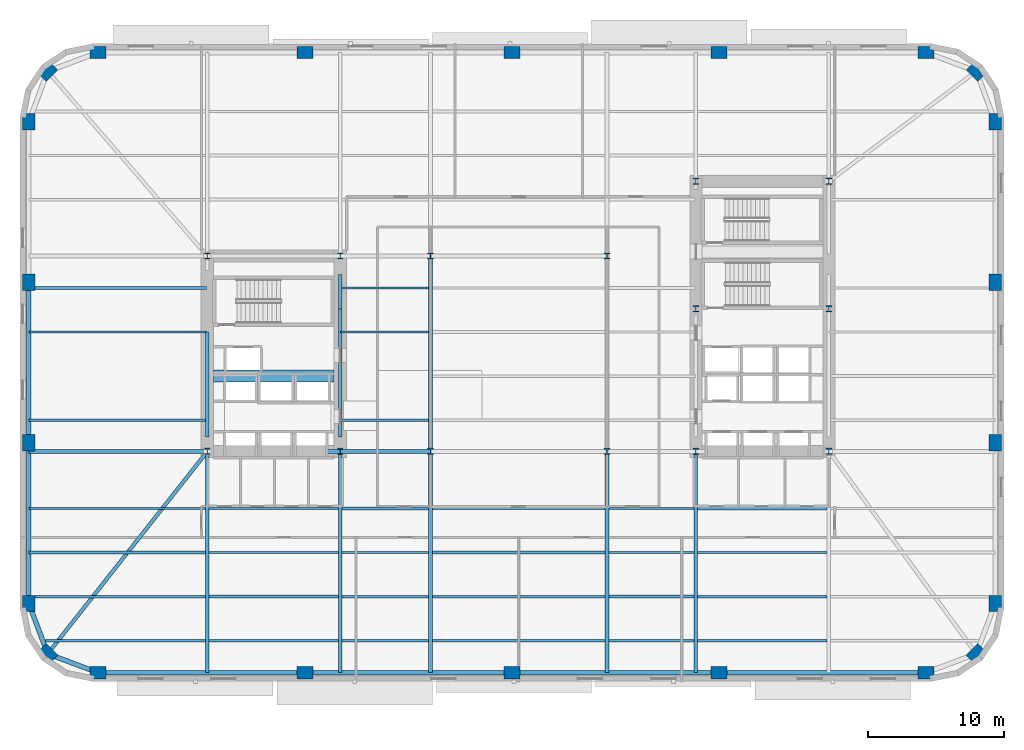
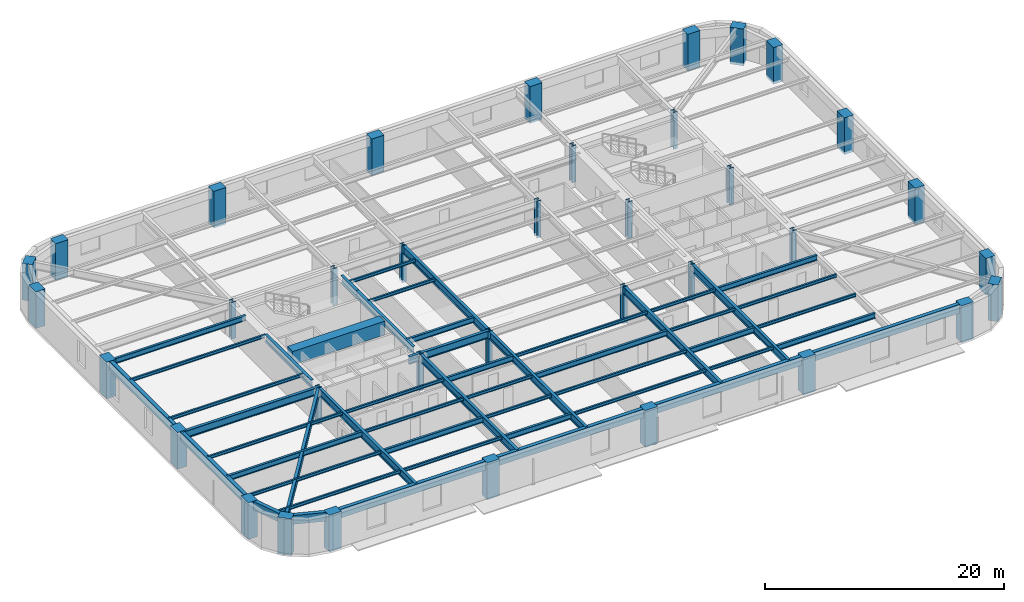
# One storey, part 1 of 15: 51 beams, 36 columns.
"""IFC4 building model written with IfcOpenShell, lengths in metres."""

from ifc_helpers import new_model, si_unit, direction, frame, origin, origin_2d, place, context, subcontext, project, spatial, rectangle, hollow_rectangle, i_section, extrude, material, material_profile, profile_set, type_object, element, save


model = new_model("IFC4")

# Units and contexts
model_context = context("Model", 3, precision=1e-05, world=origin(), true_north=direction((0.0, 1.0)))
body_context = subcontext(model_context, "Body", "Model", "MODEL_VIEW")
ifc_project = project(units=[si_unit("LENGTHUNIT", "METRE"), si_unit("AREAUNIT", "SQUARE_METRE"), si_unit("VOLUMEUNIT", "CUBIC_METRE"), si_unit("PLANEANGLEUNIT", "RADIAN"), si_unit("MASSUNIT", "GRAM", prefix="KILO")], contexts=[model_context])

# Site, building, storey
site_placement = place(None, origin())
site = spatial("IfcSite", under=ifc_project, at=site_placement, CompositionType="ELEMENT")
building_placement = place(site_placement, origin())
building = spatial("IfcBuilding", under=site, at=building_placement, Name="Kolvaren Arena Tower", CompositionType="ELEMENT")
storey_placement = place(building_placement, frame((0.0, 0.0, 64.5)))
storey = spatial("IfcBuildingStorey", under=building, at=storey_placement, Name="L13", CompositionType="ELEMENT", Elevation=64.5)

# Columns
ifc_material_1 = material(Name="Precast concrete C70/85", Category="concrete")
ifc_material_profile_1 = material_profile(ifc_material_1, rectangle(XDim=1.199951171875, YDim=0.89990234375, at=origin_2d()), Name="RC-1200x900")
ifc_profile_set_1 = profile_set([ifc_material_profile_1], Name="Precast concrete C70/85")
column_type_1 = type_object("IfcColumnType", Name="EXCOL-Z1", PredefinedType="COLUMN", material=ifc_profile_set_1)
for number, where, z_axis, x_axis, name in (
    (1, (6.5, 3.14990234375, -0.27001953125), (0.0, 0.0, 1.0), (1.0, 0.0, 0.0), "Exoskeleton Perimeter Column 01 (L13)"),
    (2, (21.75, 3.14990234375, -0.27001953125), (0.0, 0.0, 1.0), (1.0, 0.0, 0.0), "Exoskeleton Perimeter Column 02 (L13)"),
    (3, (37.0, 3.14990234375, -0.27001953125), (0.0, 0.0, 1.0), (1.0, 0.0, 0.0), "Exoskeleton Perimeter Column 03 (L13)"),
    (4, (52.25, 3.14990234375, -0.27001953125), (0.0, 0.0, 1.0), (1.0, 0.0, 0.0), "Exoskeleton Perimeter Column 04 (L13)"),
    (5, (67.5, 3.14990234375, -0.27001953125), (0.0, 0.0, 1.0), (1.0, 0.0, 0.0), "Exoskeleton Perimeter Column 05 (L13)"),
    (6, (71.208740234375, 4.541259765625, -0.27001953125), (0.0, 0.0, 1.0), (0.707106781187, 0.707106781187, 0.0), "Exoskeleton Perimeter Column 06 (L13)"),
    (7, (72.60009765625, 8.25, -0.27001953125), (0.0, 0.0, 1.0), (0.0, 1.0, 0.0), "Exoskeleton Perimeter Column 07 (L13)"),
    (8, (72.60009765625, 20.083251953125, -0.27001953125), (0.0, 0.0, 1.0), (0.0, 1.0, 0.0), "Exoskeleton Perimeter Column 08 (L13)"),
    (9, (72.60009765625, 31.916748046875, -0.27001953125), (0.0, 0.0, 1.0), (0.0, 1.0, 0.0), "Exoskeleton Perimeter Column 09 (L13)"),
    (10, (72.60009765625, 43.75, -0.27001953125), (0.0, 0.0, 1.0), (0.0, 1.0, 0.0), "Exoskeleton Perimeter Column 10 (L13)"),
    (11, (71.208740234375, 47.458740234375, -0.27001953125), (0.0, 0.0, 1.0), (-0.707106781187, 0.707106781187, 0.0), "Exoskeleton Perimeter Column 11 (L13)"),
    (12, (67.5, 48.85009765625, -0.27001953125), (0.0, 0.0, 1.0), (1.0, 0.0, 0.0), "Exoskeleton Perimeter Column 12 (L13)"),
    (13, (52.25, 48.85009765625, -0.27001953125), (0.0, 0.0, 1.0), (1.0, 0.0, 0.0), "Exoskeleton Perimeter Column 13 (L13)"),
    (14, (37.0, 48.85009765625, -0.27001953125), (0.0, 0.0, 1.0), (1.0, 0.0, 0.0), "Exoskeleton Perimeter Column 14 (L13)"),
    (15, (21.75, 48.85009765625, -0.27001953125), (0.0, 0.0, 1.0), (1.0, 0.0, 0.0), "Exoskeleton Perimeter Column 15 (L13)"),
    (16, (6.5, 48.85009765625, -0.27001953125), (0.0, 0.0, 1.0), (1.0, 0.0, 0.0), "Exoskeleton Perimeter Column 16 (L13)"),
    (17, (2.791259765625, 47.458740234375, -0.27001953125), (0.0, 0.0, 1.0), (0.707106781187, 0.707106781187, 0.0), "Exoskeleton Perimeter Column 17 (L13)"),
    (18, (1.39990234375, 43.75, -0.27001953125), (0.0, 0.0, 1.0), (0.0, 1.0, 0.0), "Exoskeleton Perimeter Column 18 (L13)"),
    (19, (1.39990234375, 31.916748046875, -0.27001953125), (0.0, 0.0, 1.0), (0.0, 1.0, 0.0), "Exoskeleton Perimeter Column 19 (L13)"),
    (20, (1.39990234375, 20.083251953125, -0.27001953125), (0.0, 0.0, 1.0), (0.0, 1.0, 0.0), "Exoskeleton Perimeter Column 20 (L13)"),
    (21, (1.39990234375, 8.25, -0.27001953125), (0.0, 0.0, 1.0), (0.0, 1.0, 0.0), "Exoskeleton Perimeter Column 21 (L13)"),
    (22, (2.791259765625, 4.541259765625, -0.27001953125), (0.0, 0.0, 1.0), (-0.707106781187, 0.707106781187, 0.0), "Exoskeleton Perimeter Column 22 (L13)"),
):
    element("IfcColumn", number, at=place(storey_placement, frame(where, z_axis=z_axis, x_axis=x_axis)), inside=storey, type_object=column_type_1, Name=name, PredefinedType="COLUMN", context=body_context, shape_type="SweptSolid", body=[
        extrude(rectangle(XDim=1.199951171875, YDim=0.89990234375, at=origin_2d()), origin(), (0.0, 0.0, 1.0), 3.75),
    ])
ifc_material_2 = material(Name="Steel ASTM A913 Grade 65", Category="steel")
ifc_material_profile_2 = material_profile(ifc_material_2, i_section(OverallWidth=0.424072265625, OverallDepth=0.47412109375, WebThickness=0.047607421875, FlangeThickness=0.076904296875, FilletRadius=0.02001953125, at=origin_2d()), Name="W360x634")
ifc_profile_set_2 = profile_set([ifc_material_profile_2], Name="Steel ASTM A913 Grade 65")
column_type_2 = type_object("IfcColumnType", Name="SCOL-Z1", PredefinedType="COLUMN", material=ifc_profile_set_2)
for number, where, z_axis, x_axis, name in (
    (23, (14.550048828125, 19.449951171875, -0.27001953125), (0.0, 0.0, 1.0), (1.0, 0.0, 0.0), "Core Boundary Column WC-SW (L13)"),
    (24, (24.35009765625, 19.449951171875, -0.27001953125), (0.0, 0.0, 1.0), (1.0, 0.0, 0.0), "Core Boundary Column WC-SE (L13)"),
    (25, (14.550048828125, 33.85009765625, -0.27001953125), (0.0, 0.0, 1.0), (1.0, 0.0, 0.0), "Core Boundary Column WC-NW (L13)"),
    (26, (24.35009765625, 33.85009765625, -0.27001953125), (0.0, 0.0, 1.0), (1.0, 0.0, 0.0), "Core Boundary Column WC-NE (L13)"),
    (27, (50.550048828125, 19.449951171875, -0.27001953125), (0.0, 0.0, 1.0), (1.0, 0.0, 0.0), "Core Boundary Column EC-SW (L13)"),
    (28, (60.35009765625, 19.449951171875, -0.27001953125), (0.0, 0.0, 1.0), (1.0, 0.0, 0.0), "Core Boundary Column EC-SE (L13)"),
    (29, (50.550048828125, 29.949951171875, -0.27001953125), (0.0, 0.0, 1.0), (1.0, 0.0, 0.0), "Core Boundary Column EC-MW (L13)"),
    (30, (60.35009765625, 29.949951171875, -0.27001953125), (0.0, 0.0, 1.0), (1.0, 0.0, 0.0), "Core Boundary Column EC-ME (L13)"),
    (31, (50.550048828125, 39.35009765625, -0.27001953125), (0.0, 0.0, 1.0), (1.0, 0.0, 0.0), "Core Boundary Column EC-NW (L13)"),
    (32, (60.35009765625, 39.35009765625, -0.27001953125), (0.0, 0.0, 1.0), (1.0, 0.0, 0.0), "Core Boundary Column EC-NE (L13)"),
    (33, (31.0, 19.449951171875, -0.27001953125), (0.0, 0.0, 1.0), (1.0, 0.0, 0.0), "Interior Gravity Column TC-SW (L13)"),
    (34, (44.0, 19.449951171875, -0.27001953125), (0.0, 0.0, 1.0), (1.0, 0.0, 0.0), "Interior Gravity Column TC-SE (L13)"),
    (35, (31.0, 33.85009765625, -0.27001953125), (0.0, 0.0, 1.0), (1.0, 0.0, 0.0), "Interior Gravity Column TC-NW (L13)"),
    (36, (44.0, 33.85009765625, -0.27001953125), (0.0, 0.0, 1.0), (1.0, 0.0, 0.0), "Interior Gravity Column TC-NE (L13)"),
):
    element("IfcColumn", number, at=place(storey_placement, frame(where, z_axis=z_axis, x_axis=x_axis)), inside=storey, type_object=column_type_2, Name=name, PredefinedType="COLUMN", context=body_context, shape_type="SweptSolid", body=[
        extrude(i_section(OverallWidth=0.424072265625, OverallDepth=0.47412109375, WebThickness=0.047607421875, FlangeThickness=0.076904296875, FilletRadius=0.02001953125, at=origin_2d()), origin(), (0.0, 0.0, 1.0), 3.75),
    ])

# Beams
ifc_material_3 = material(Name="Steel CSA G40.21 350W", Category="steel")
ifc_material_profile_3 = material_profile(ifc_material_3, i_section(OverallWidth=0.2119140625, OverallDepth=0.54296875, WebThickness=0.01318359375, FlangeThickness=0.0244140625, FilletRadius=0.013916015625, at=origin_2d()), Name="W530x150")
ifc_profile_set_3 = profile_set([ifc_material_profile_3], Name="Steel CSA G40.21 350W")
beam_type_1 = type_object("IfcBeamType", Name="BEAM-F1", PredefinedType="BEAM", material=ifc_profile_set_3)
beam_1_placement = place(storey_placement, frame((24.485107421875, 5.5, 3.20849609375), z_axis=(1.0, 0.0, 0.0), x_axis=(0.0, 1.0, 0.0)))
element("IfcBeam", 37, at=beam_1_placement, inside=storey, type_object=beam_type_1, Name="Composite Floor Beam (L13)", PredefinedType="BEAM", context=body_context, shape_type="SweptSolid", body=[
    extrude(i_section(OverallWidth=0.2119140625, OverallDepth=0.54296875, WebThickness=0.01318359375, FlangeThickness=0.0244140625, FilletRadius=0.013916015625, at=origin_2d()), origin(), (0.0, 0.0, 1.0), 6.3798828125),
])
for number, where, z_axis, x_axis, name in (
    (38, (50.68505859375, 5.5, 3.20849609375), (1.0, 0.0, 0.0), (0.0, 1.0, 0.0), "Composite Floor Beam (L13)"),
    (39, (14.68505859375, 8.75, 3.20849609375), (1.0, 0.0, 0.0), (0.0, 1.0, 0.0), "Composite Floor Beam (L13)"),
):
    element("IfcBeam", number, at=place(storey_placement, frame(where, z_axis=z_axis, x_axis=x_axis)), inside=storey, type_object=beam_type_1, Name=name, PredefinedType="BEAM", context=body_context, shape_type="SweptSolid", body=[
        extrude(i_section(OverallWidth=0.2119140625, OverallDepth=0.54296875, WebThickness=0.01318359375, FlangeThickness=0.0244140625, FilletRadius=0.013916015625, at=origin_2d()), origin(), (0.0, 0.0, 1.0), 9.530029296875),
    ])
beam_2_placement = place(storey_placement, frame((44.135009765625, 8.75, 3.20849609375), z_axis=(1.0, 0.0, 0.0), x_axis=(0.0, 1.0, 0.0)))
element("IfcBeam", 40, at=beam_2_placement, inside=storey, type_object=beam_type_1, Name="Composite Floor Beam (L13)", PredefinedType="BEAM", context=body_context, shape_type="SweptSolid", body=[
    extrude(i_section(OverallWidth=0.2119140625, OverallDepth=0.54296875, WebThickness=0.01318359375, FlangeThickness=0.0244140625, FilletRadius=0.013916015625, at=origin_2d()), origin(), (0.0, 0.0, 1.0), 6.280029296875),
])
beam_3_placement = place(storey_placement, frame((1.39990234375, 12.0, 3.20849609375), z_axis=(1.0, 0.0, 0.0), x_axis=(0.0, 1.0, 0.0)))
element("IfcBeam", 41, at=beam_3_placement, inside=storey, type_object=beam_type_1, Name="Composite Floor Beam (L13)", PredefinedType="BEAM", context=body_context, shape_type="SweptSolid", body=[
    extrude(i_section(OverallWidth=0.2119140625, OverallDepth=0.54296875, WebThickness=0.01318359375, FlangeThickness=0.0244140625, FilletRadius=0.013916015625, at=origin_2d()), origin(), (0.0, 0.0, 1.0), 13.01513671875),
])
beam_4_placement = place(storey_placement, frame((31.135009765625, 12.0, 3.20849609375), z_axis=(1.0, 0.0, 0.0), x_axis=(0.0, 1.0, 0.0)))
element("IfcBeam", 42, at=beam_4_placement, inside=storey, type_object=beam_type_1, Name="Composite Floor Beam (L13)", PredefinedType="BEAM", context=body_context, shape_type="SweptSolid", body=[
    extrude(i_section(OverallWidth=0.2119140625, OverallDepth=0.54296875, WebThickness=0.01318359375, FlangeThickness=0.0244140625, FilletRadius=0.013916015625, at=origin_2d()), origin(), (0.0, 0.0, 1.0), 12.72998046875),
])
beam_5_placement = place(storey_placement, frame((24.485107421875, 15.25, 3.20849609375), z_axis=(1.0, 0.0, 0.0), x_axis=(0.0, 1.0, 0.0)))
element("IfcBeam", 43, at=beam_5_placement, inside=storey, type_object=beam_type_1, Name="Composite Floor Beam (L13)", PredefinedType="BEAM", context=body_context, shape_type="SweptSolid", body=[
    extrude(i_section(OverallWidth=0.2119140625, OverallDepth=0.54296875, WebThickness=0.01318359375, FlangeThickness=0.0244140625, FilletRadius=0.013916015625, at=origin_2d()), origin(), (0.0, 0.0, 1.0), 6.3798828125),
])
beam_6_placement = place(storey_placement, frame((50.68505859375, 15.25, 3.20849609375), z_axis=(1.0, 0.0, 0.0), x_axis=(0.0, 1.0, 0.0)))
element("IfcBeam", 44, at=beam_6_placement, inside=storey, type_object=beam_type_1, Name="Composite Floor Beam (L13)", PredefinedType="BEAM", context=body_context, shape_type="SweptSolid", body=[
    extrude(i_section(OverallWidth=0.2119140625, OverallDepth=0.54296875, WebThickness=0.01318359375, FlangeThickness=0.0244140625, FilletRadius=0.013916015625, at=origin_2d()), origin(), (0.0, 0.0, 1.0), 9.530029296875),
])
beam_7_placement = place(storey_placement, frame((24.3701171875, 21.75, 3.20849609375), z_axis=(1.0, 0.0, 0.0), x_axis=(0.0, 1.0, 0.0)))
element("IfcBeam", 45, at=beam_7_placement, inside=storey, type_object=beam_type_1, Name="Composite Floor Beam (L13)", PredefinedType="BEAM", context=body_context, shape_type="SweptSolid", body=[
    extrude(i_section(OverallWidth=0.2119140625, OverallDepth=0.54296875, WebThickness=0.01318359375, FlangeThickness=0.0244140625, FilletRadius=0.013916015625, at=origin_2d()), origin(), (0.0, 0.0, 1.0), 6.494873046875),
])
beam_8_placement = place(storey_placement, frame((1.39990234375, 31.5, 3.20849609375), z_axis=(1.0, 0.0, 0.0), x_axis=(0.0, 1.0, 0.0)))
element("IfcBeam", 46, at=beam_8_placement, inside=storey, type_object=beam_type_1, Name="Composite Floor Beam (L13)", PredefinedType="BEAM", context=body_context, shape_type="SweptSolid", body=[
    extrude(i_section(OverallWidth=0.2119140625, OverallDepth=0.54296875, WebThickness=0.01318359375, FlangeThickness=0.0244140625, FilletRadius=0.013916015625, at=origin_2d()), origin(), (0.0, 0.0, 1.0), 13.080078125),
])
ifc_material_4 = material(Name="Concrete 75 MPa", Category="concrete")
ifc_material_profile_4 = material_profile(ifc_material_4, rectangle(XDim=0.89990234375, YDim=1.39990234375, at=origin_2d()), Name="RC-900x1400")
ifc_profile_set_4 = profile_set([ifc_material_profile_4], Name="Concrete 75 MPa")
beam_type_2 = type_object("IfcBeamType", Name="CB-CORE-1", PredefinedType="BEAM", material=ifc_profile_set_4)
beam_9_placement = place(storey_placement, frame((15.0, 25.0, 3.050048828125), z_axis=(1.0, 0.0, 0.0), x_axis=(0.0, 1.0, 0.0)))
element("IfcBeam", 47, at=beam_9_placement, inside=storey, type_object=beam_type_2, Name="West Core Coupling Beam (L13)", PredefinedType="BEAM", context=body_context, shape_type="SweptSolid", body=[
    extrude(rectangle(XDim=0.89990234375, YDim=1.39990234375, at=origin_2d()), origin(), (0.0, 0.0, 1.0), 8.89990234375),
])
ifc_material_profile_5 = material_profile(ifc_material_3, i_section(OverallWidth=0.27001953125, OverallDepth=0.77294921875, WebThickness=0.019287109375, FlangeThickness=0.033447265625, FilletRadius=0.01806640625, at=origin_2d()), Name="W760x257")
ifc_profile_set_5 = profile_set([ifc_material_profile_5], Name="Steel CSA G40.21 350W")
beam_type_3 = type_object("IfcBeamType", Name="GIRD-T1", PredefinedType="BEAM", material=ifc_profile_set_5)
beam_10_placement = place(storey_placement, frame((2.791259765625, 4.541259765625, 3.093505859375), z_axis=(0.61927986086, 0.785170334343, 0.0), x_axis=(-0.785170334343, 0.61927986086, 0.0)))
element("IfcBeam", 48, at=beam_10_placement, inside=storey, type_object=beam_type_3, Name="Corner Diagonal Tie Girder (L13)", PredefinedType="BEAM", context=body_context, shape_type="SweptSolid", body=[
    extrude(i_section(OverallWidth=0.27001953125, OverallDepth=0.77294921875, WebThickness=0.019287109375, FlangeThickness=0.033447265625, FilletRadius=0.01806640625, at=origin_2d()), origin(), (0.0, 0.0, 1.0), 18.98779296875),
])
beam_11_placement = place(storey_placement, frame((1.39990234375, 19.449951171875, 3.093505859375), z_axis=(1.0, 0.0, 0.0), x_axis=(0.0, 1.0, 0.0)))
element("IfcBeam", 49, at=beam_11_placement, inside=storey, type_object=beam_type_3, Name="Primary Floor Girder (L13)", PredefinedType="BEAM", context=body_context, shape_type="SweptSolid", body=[
    extrude(i_section(OverallWidth=0.27001953125, OverallDepth=0.77294921875, WebThickness=0.019287109375, FlangeThickness=0.033447265625, FilletRadius=0.01806640625, at=origin_2d()), origin(), (0.0, 0.0, 1.0), 13.150146484375),
])
beam_12_placement = place(storey_placement, frame((23.2451171875, 19.449951171875, 3.093505859375), z_axis=(1.0, 0.0, 0.0), x_axis=(0.0, 1.0, 0.0)))
element("IfcBeam", 50, at=beam_12_placement, inside=storey, type_object=beam_type_3, Name="Primary Floor Girder (L13)", PredefinedType="BEAM", context=body_context, shape_type="SweptSolid", body=[
    extrude(i_section(OverallWidth=0.27001953125, OverallDepth=0.77294921875, WebThickness=0.019287109375, FlangeThickness=0.033447265625, FilletRadius=0.01806640625, at=origin_2d()), origin(), (0.0, 0.0, 1.0), 7.7548828125),
])
beam_13_placement = place(storey_placement, frame((14.550048828125, 3.14990234375, 3.093505859375), z_axis=(0.0, 1.0, 0.0), x_axis=(-1.0, 0.0, 0.0)))
element("IfcBeam", 51, at=beam_13_placement, inside=storey, type_object=beam_type_3, Name="Primary Floor Girder (L13)", PredefinedType="BEAM", context=body_context, shape_type="SweptSolid", body=[
    extrude(i_section(OverallWidth=0.27001953125, OverallDepth=0.77294921875, WebThickness=0.019287109375, FlangeThickness=0.033447265625, FilletRadius=0.01806640625, at=origin_2d()), origin(), (0.0, 0.0, 1.0), 16.300048828125),
])
beam_14_placement = place(storey_placement, frame((14.550048828125, 20.5, 3.093505859375), z_axis=(0.0, 1.0, 0.0), x_axis=(-1.0, 0.0, 0.0)))
element("IfcBeam", 52, at=beam_14_placement, inside=storey, type_object=beam_type_3, Name="Primary Floor Girder (L13)", PredefinedType="BEAM", context=body_context, shape_type="SweptSolid", body=[
    extrude(i_section(OverallWidth=0.27001953125, OverallDepth=0.77294921875, WebThickness=0.019287109375, FlangeThickness=0.033447265625, FilletRadius=0.01806640625, at=origin_2d()), origin(), (0.0, 0.0, 1.0), 7.739990234375),
])
beam_15_placement = place(storey_placement, frame((24.35009765625, 3.14990234375, 3.093505859375), z_axis=(0.0, 1.0, 0.0), x_axis=(-1.0, 0.0, 0.0)))
element("IfcBeam", 53, at=beam_15_placement, inside=storey, type_object=beam_type_3, Name="Primary Floor Girder (L13)", PredefinedType="BEAM", context=body_context, shape_type="SweptSolid", body=[
    extrude(i_section(OverallWidth=0.27001953125, OverallDepth=0.77294921875, WebThickness=0.019287109375, FlangeThickness=0.033447265625, FilletRadius=0.01806640625, at=origin_2d()), origin(), (0.0, 0.0, 1.0), 16.300048828125),
])
beam_16_placement = place(storey_placement, frame((24.35009765625, 20.5, 3.093505859375), z_axis=(0.0, 1.0, 0.0), x_axis=(-1.0, 0.0, 0.0)))
element("IfcBeam", 54, at=beam_16_placement, inside=storey, type_object=beam_type_3, Name="Primary Floor Girder (L13)", PredefinedType="BEAM", context=body_context, shape_type="SweptSolid", body=[
    extrude(i_section(OverallWidth=0.27001953125, OverallDepth=0.77294921875, WebThickness=0.019287109375, FlangeThickness=0.033447265625, FilletRadius=0.01806640625, at=origin_2d()), origin(), (0.0, 0.0, 1.0), 9.449951171875),
])
beam_17_placement = place(storey_placement, frame((24.35009765625, 29.949951171875, 3.093505859375), z_axis=(0.0, 1.0, 0.0), x_axis=(-1.0, 0.0, 0.0)))
element("IfcBeam", 55, at=beam_17_placement, inside=storey, type_object=beam_type_3, Name="Primary Floor Girder (L13)", PredefinedType="BEAM", context=body_context, shape_type="SweptSolid", body=[
    extrude(i_section(OverallWidth=0.27001953125, OverallDepth=0.77294921875, WebThickness=0.019287109375, FlangeThickness=0.033447265625, FilletRadius=0.01806640625, at=origin_2d()), origin(), (0.0, 0.0, 1.0), 2.550048828125),
])
beam_18_placement = place(storey_placement, frame((31.0, 3.14990234375, 3.093505859375), z_axis=(0.0, 1.0, 0.0), x_axis=(-1.0, 0.0, 0.0)))
element("IfcBeam", 56, at=beam_18_placement, inside=storey, type_object=beam_type_3, Name="Primary Floor Girder (L13)", PredefinedType="BEAM", context=body_context, shape_type="SweptSolid", body=[
    extrude(i_section(OverallWidth=0.27001953125, OverallDepth=0.77294921875, WebThickness=0.019287109375, FlangeThickness=0.033447265625, FilletRadius=0.01806640625, at=origin_2d()), origin(), (0.0, 0.0, 1.0), 16.300048828125),
])
beam_19_placement = place(storey_placement, frame((31.0, 19.449951171875, 3.093505859375), z_axis=(0.0, 1.0, 0.0), x_axis=(-1.0, 0.0, 0.0)))
element("IfcBeam", 57, at=beam_19_placement, inside=storey, type_object=beam_type_3, Name="Primary Floor Girder (L13)", PredefinedType="BEAM", context=body_context, shape_type="SweptSolid", body=[
    extrude(i_section(OverallWidth=0.27001953125, OverallDepth=0.77294921875, WebThickness=0.019287109375, FlangeThickness=0.033447265625, FilletRadius=0.01806640625, at=origin_2d()), origin(), (0.0, 0.0, 1.0), 14.400146484375),
])
for number, where, z_axis, x_axis, name in (
    (58, (44.0, 3.14990234375, 3.093505859375), (0.0, 1.0, 0.0), (-1.0, 0.0, 0.0), "Primary Floor Girder (L13)"),
    (59, (50.550048828125, 3.14990234375, 3.093505859375), (0.0, 1.0, 0.0), (-1.0, 0.0, 0.0), "Primary Floor Girder (L13)"),
):
    element("IfcBeam", number, at=place(storey_placement, frame(where, z_axis=z_axis, x_axis=x_axis)), inside=storey, type_object=beam_type_3, Name=name, PredefinedType="BEAM", context=body_context, shape_type="SweptSolid", body=[
        extrude(i_section(OverallWidth=0.27001953125, OverallDepth=0.77294921875, WebThickness=0.019287109375, FlangeThickness=0.033447265625, FilletRadius=0.01806640625, at=origin_2d()), origin(), (0.0, 0.0, 1.0), 16.300048828125),
    ])
ifc_material_profile_6 = material_profile(ifc_material_3, i_section(OverallWidth=0.1669921875, OverallDepth=0.31689453125, WebThickness=0.007568359375, FlangeThickness=0.01318359375, FilletRadius=0.010009765625, at=origin_2d()), Name="W310x52")
ifc_profile_set_6 = profile_set([ifc_material_profile_6], Name="Steel CSA G40.21 350W")
beam_type_4 = type_object("IfcBeamType", Name="JOIST-02", PredefinedType="JOIST", material=ifc_profile_set_6)
beam_20_placement = place(storey_placement, frame((2.431396484375, 5.5, 3.321533203125), z_axis=(1.0, 0.0, 0.0), x_axis=(0.0, 1.0, 0.0)))
element("IfcBeam", 60, at=beam_20_placement, inside=storey, type_object=beam_type_4, Name="Composite Floor Joist (L13)", PredefinedType="JOIST", context=body_context, shape_type="SweptSolid", body=[
    extrude(i_section(OverallWidth=0.1669921875, OverallDepth=0.31689453125, WebThickness=0.007568359375, FlangeThickness=0.01318359375, FilletRadius=0.010009765625, at=origin_2d()), origin(), (0.0, 0.0, 1.0), 11.983642578125),
])
beam_21_placement = place(storey_placement, frame((14.68505859375, 5.5, 3.321533203125), z_axis=(1.0, 0.0, 0.0), x_axis=(0.0, 1.0, 0.0)))
element("IfcBeam", 61, at=beam_21_placement, inside=storey, type_object=beam_type_4, Name="Composite Floor Joist (L13)", PredefinedType="JOIST", context=body_context, shape_type="SweptSolid", body=[
    extrude(i_section(OverallWidth=0.1669921875, OverallDepth=0.31689453125, WebThickness=0.007568359375, FlangeThickness=0.01318359375, FilletRadius=0.010009765625, at=origin_2d()), origin(), (0.0, 0.0, 1.0), 9.530029296875),
])
beam_22_placement = place(storey_placement, frame((31.135009765625, 5.5, 3.321533203125), z_axis=(1.0, 0.0, 0.0), x_axis=(0.0, 1.0, 0.0)))
element("IfcBeam", 62, at=beam_22_placement, inside=storey, type_object=beam_type_4, Name="Composite Floor Joist (L13)", PredefinedType="JOIST", context=body_context, shape_type="SweptSolid", body=[
    extrude(i_section(OverallWidth=0.1669921875, OverallDepth=0.31689453125, WebThickness=0.007568359375, FlangeThickness=0.01318359375, FilletRadius=0.010009765625, at=origin_2d()), origin(), (0.0, 0.0, 1.0), 12.72998046875),
])
beam_23_placement = place(storey_placement, frame((44.135009765625, 5.5, 3.321533203125), z_axis=(1.0, 0.0, 0.0), x_axis=(0.0, 1.0, 0.0)))
element("IfcBeam", 63, at=beam_23_placement, inside=storey, type_object=beam_type_4, Name="Composite Floor Joist (L13)", PredefinedType="JOIST", context=body_context, shape_type="SweptSolid", body=[
    extrude(i_section(OverallWidth=0.1669921875, OverallDepth=0.31689453125, WebThickness=0.007568359375, FlangeThickness=0.01318359375, FilletRadius=0.010009765625, at=origin_2d()), origin(), (0.0, 0.0, 1.0), 6.280029296875),
])
beam_24_placement = place(storey_placement, frame((1.39990234375, 8.75, 3.321533203125), z_axis=(1.0, 0.0, 0.0), x_axis=(0.0, 1.0, 0.0)))
element("IfcBeam", 64, at=beam_24_placement, inside=storey, type_object=beam_type_4, Name="Composite Floor Joist (L13)", PredefinedType="JOIST", context=body_context, shape_type="SweptSolid", body=[
    extrude(i_section(OverallWidth=0.1669921875, OverallDepth=0.31689453125, WebThickness=0.007568359375, FlangeThickness=0.01318359375, FilletRadius=0.010009765625, at=origin_2d()), origin(), (0.0, 0.0, 1.0), 13.01513671875),
])
beam_25_placement = place(storey_placement, frame((24.485107421875, 8.75, 3.321533203125), z_axis=(1.0, 0.0, 0.0), x_axis=(0.0, 1.0, 0.0)))
element("IfcBeam", 65, at=beam_25_placement, inside=storey, type_object=beam_type_4, Name="Composite Floor Joist (L13)", PredefinedType="JOIST", context=body_context, shape_type="SweptSolid", body=[
    extrude(i_section(OverallWidth=0.1669921875, OverallDepth=0.31689453125, WebThickness=0.007568359375, FlangeThickness=0.01318359375, FilletRadius=0.010009765625, at=origin_2d()), origin(), (0.0, 0.0, 1.0), 6.3798828125),
])
beam_26_placement = place(storey_placement, frame((31.135009765625, 8.75, 3.321533203125), z_axis=(1.0, 0.0, 0.0), x_axis=(0.0, 1.0, 0.0)))
element("IfcBeam", 66, at=beam_26_placement, inside=storey, type_object=beam_type_4, Name="Composite Floor Joist (L13)", PredefinedType="JOIST", context=body_context, shape_type="SweptSolid", body=[
    extrude(i_section(OverallWidth=0.1669921875, OverallDepth=0.31689453125, WebThickness=0.007568359375, FlangeThickness=0.01318359375, FilletRadius=0.010009765625, at=origin_2d()), origin(), (0.0, 0.0, 1.0), 12.72998046875),
])
for number, where, z_axis, x_axis, name in (
    (67, (50.68505859375, 8.75, 3.321533203125), (1.0, 0.0, 0.0), (0.0, 1.0, 0.0), "Composite Floor Joist (L13)"),
    (68, (14.68505859375, 12.0, 3.321533203125), (1.0, 0.0, 0.0), (0.0, 1.0, 0.0), "Composite Floor Joist (L13)"),
):
    element("IfcBeam", number, at=place(storey_placement, frame(where, z_axis=z_axis, x_axis=x_axis)), inside=storey, type_object=beam_type_4, Name=name, PredefinedType="JOIST", context=body_context, shape_type="SweptSolid", body=[
        extrude(i_section(OverallWidth=0.1669921875, OverallDepth=0.31689453125, WebThickness=0.007568359375, FlangeThickness=0.01318359375, FilletRadius=0.010009765625, at=origin_2d()), origin(), (0.0, 0.0, 1.0), 9.530029296875),
    ])
beam_27_placement = place(storey_placement, frame((24.485107421875, 12.0, 3.321533203125), z_axis=(1.0, 0.0, 0.0), x_axis=(0.0, 1.0, 0.0)))
element("IfcBeam", 69, at=beam_27_placement, inside=storey, type_object=beam_type_4, Name="Composite Floor Joist (L13)", PredefinedType="JOIST", context=body_context, shape_type="SweptSolid", body=[
    extrude(i_section(OverallWidth=0.1669921875, OverallDepth=0.31689453125, WebThickness=0.007568359375, FlangeThickness=0.01318359375, FilletRadius=0.010009765625, at=origin_2d()), origin(), (0.0, 0.0, 1.0), 6.3798828125),
])
beam_28_placement = place(storey_placement, frame((44.135009765625, 12.0, 3.321533203125), z_axis=(1.0, 0.0, 0.0), x_axis=(0.0, 1.0, 0.0)))
element("IfcBeam", 70, at=beam_28_placement, inside=storey, type_object=beam_type_4, Name="Composite Floor Joist (L13)", PredefinedType="JOIST", context=body_context, shape_type="SweptSolid", body=[
    extrude(i_section(OverallWidth=0.1669921875, OverallDepth=0.31689453125, WebThickness=0.007568359375, FlangeThickness=0.01318359375, FilletRadius=0.010009765625, at=origin_2d()), origin(), (0.0, 0.0, 1.0), 6.280029296875),
])
beam_29_placement = place(storey_placement, frame((50.68505859375, 12.0, 3.321533203125), z_axis=(1.0, 0.0, 0.0), x_axis=(0.0, 1.0, 0.0)))
element("IfcBeam", 71, at=beam_29_placement, inside=storey, type_object=beam_type_4, Name="Composite Floor Joist (L13)", PredefinedType="JOIST", context=body_context, shape_type="SweptSolid", body=[
    extrude(i_section(OverallWidth=0.1669921875, OverallDepth=0.31689453125, WebThickness=0.007568359375, FlangeThickness=0.01318359375, FilletRadius=0.010009765625, at=origin_2d()), origin(), (0.0, 0.0, 1.0), 9.530029296875),
])
beam_30_placement = place(storey_placement, frame((1.39990234375, 15.25, 3.321533203125), z_axis=(1.0, 0.0, 0.0), x_axis=(0.0, 1.0, 0.0)))
element("IfcBeam", 72, at=beam_30_placement, inside=storey, type_object=beam_type_4, Name="Composite Floor Joist (L13)", PredefinedType="JOIST", context=body_context, shape_type="SweptSolid", body=[
    extrude(i_section(OverallWidth=0.1669921875, OverallDepth=0.31689453125, WebThickness=0.007568359375, FlangeThickness=0.01318359375, FilletRadius=0.010009765625, at=origin_2d()), origin(), (0.0, 0.0, 1.0), 13.01513671875),
])
beam_31_placement = place(storey_placement, frame((14.68505859375, 15.25, 3.321533203125), z_axis=(1.0, 0.0, 0.0), x_axis=(0.0, 1.0, 0.0)))
element("IfcBeam", 73, at=beam_31_placement, inside=storey, type_object=beam_type_4, Name="Composite Floor Joist (L13)", PredefinedType="JOIST", context=body_context, shape_type="SweptSolid", body=[
    extrude(i_section(OverallWidth=0.1669921875, OverallDepth=0.31689453125, WebThickness=0.007568359375, FlangeThickness=0.01318359375, FilletRadius=0.010009765625, at=origin_2d()), origin(), (0.0, 0.0, 1.0), 9.530029296875),
])
beam_32_placement = place(storey_placement, frame((31.135009765625, 15.25, 3.321533203125), z_axis=(1.0, 0.0, 0.0), x_axis=(0.0, 1.0, 0.0)))
element("IfcBeam", 74, at=beam_32_placement, inside=storey, type_object=beam_type_4, Name="Composite Floor Joist (L13)", PredefinedType="JOIST", context=body_context, shape_type="SweptSolid", body=[
    extrude(i_section(OverallWidth=0.1669921875, OverallDepth=0.31689453125, WebThickness=0.007568359375, FlangeThickness=0.01318359375, FilletRadius=0.010009765625, at=origin_2d()), origin(), (0.0, 0.0, 1.0), 12.72998046875),
])
beam_33_placement = place(storey_placement, frame((44.135009765625, 15.25, 3.321533203125), z_axis=(1.0, 0.0, 0.0), x_axis=(0.0, 1.0, 0.0)))
element("IfcBeam", 75, at=beam_33_placement, inside=storey, type_object=beam_type_4, Name="Composite Floor Joist (L13)", PredefinedType="JOIST", context=body_context, shape_type="SweptSolid", body=[
    extrude(i_section(OverallWidth=0.1669921875, OverallDepth=0.31689453125, WebThickness=0.007568359375, FlangeThickness=0.01318359375, FilletRadius=0.010009765625, at=origin_2d()), origin(), (0.0, 0.0, 1.0), 6.280029296875),
])
beam_34_placement = place(storey_placement, frame((1.39990234375, 21.75, 3.321533203125), z_axis=(1.0, 0.0, 0.0), x_axis=(0.0, 1.0, 0.0)))
element("IfcBeam", 76, at=beam_34_placement, inside=storey, type_object=beam_type_4, Name="Composite Floor Joist (L13)", PredefinedType="JOIST", context=body_context, shape_type="SweptSolid", body=[
    extrude(i_section(OverallWidth=0.1669921875, OverallDepth=0.31689453125, WebThickness=0.007568359375, FlangeThickness=0.01318359375, FilletRadius=0.010009765625, at=origin_2d()), origin(), (0.0, 0.0, 1.0), 13.130126953125),
])
beam_35_placement = place(storey_placement, frame((1.39990234375, 28.25, 3.321533203125), z_axis=(1.0, 0.0, 0.0), x_axis=(0.0, 1.0, 0.0)))
element("IfcBeam", 77, at=beam_35_placement, inside=storey, type_object=beam_type_4, Name="Composite Floor Joist (L13)", PredefinedType="JOIST", context=body_context, shape_type="SweptSolid", body=[
    extrude(i_section(OverallWidth=0.1669921875, OverallDepth=0.31689453125, WebThickness=0.007568359375, FlangeThickness=0.01318359375, FilletRadius=0.010009765625, at=origin_2d()), origin(), (0.0, 0.0, 1.0), 13.080078125),
])
for number, where, z_axis, x_axis, name in (
    (78, (24.3701171875, 28.25, 3.321533203125), (1.0, 0.0, 0.0), (0.0, 1.0, 0.0), "Composite Floor Joist (L13)"),
    (79, (24.3701171875, 31.5, 3.321533203125), (1.0, 0.0, 0.0), (0.0, 1.0, 0.0), "Composite Floor Joist (L13)"),
):
    element("IfcBeam", number, at=place(storey_placement, frame(where, z_axis=z_axis, x_axis=x_axis)), inside=storey, type_object=beam_type_4, Name=name, PredefinedType="JOIST", context=body_context, shape_type="SweptSolid", body=[
        extrude(i_section(OverallWidth=0.1669921875, OverallDepth=0.31689453125, WebThickness=0.007568359375, FlangeThickness=0.01318359375, FilletRadius=0.010009765625, at=origin_2d()), origin(), (0.0, 0.0, 1.0), 6.494873046875),
    ])
ifc_material_5 = material(Name="Steel CSA G40.21 350WT", Category="steel")
ifc_material_profile_7 = material_profile(ifc_material_5, hollow_rectangle(XDim=0.35009765625, YDim=0.89990234375, WallThickness=0.02001953125, at=origin_2d()), Name="HSS 900x350x20")
ifc_profile_set_7 = profile_set([ifc_material_profile_7], Name="Steel CSA G40.21 350WT")
beam_type_5 = type_object("IfcBeamType", Name="SPAND-01", PredefinedType="SPANDREL", material=ifc_profile_set_7)
for number, where, z_axis, x_axis, name in (
    (80, (6.5, 3.14990234375, 3.030029296875), (1.0, 0.0, 0.0), (0.0, 1.0, 0.0), "Perimeter Spandrel Beam (L13)"),
    (81, (21.75, 3.14990234375, 3.030029296875), (1.0, 0.0, 0.0), (0.0, 1.0, 0.0), "Perimeter Spandrel Beam (L13)"),
    (82, (37.0, 3.14990234375, 3.030029296875), (1.0, 0.0, 0.0), (0.0, 1.0, 0.0), "Perimeter Spandrel Beam (L13)"),
    (83, (52.25, 3.14990234375, 3.030029296875), (1.0, 0.0, 0.0), (0.0, 1.0, 0.0), "Perimeter Spandrel Beam (L13)"),
):
    element("IfcBeam", number, at=place(storey_placement, frame(where, z_axis=z_axis, x_axis=x_axis)), inside=storey, type_object=beam_type_5, Name=name, PredefinedType="SPANDREL", context=body_context, shape_type="SweptSolid", body=[
        extrude(hollow_rectangle(XDim=0.35009765625, YDim=0.89990234375, WallThickness=0.02001953125, at=origin_2d()), origin(), (0.0, 0.0, 1.0), 15.25),
    ])
beam_36_placement = place(storey_placement, frame((1.39990234375, 31.916748046875, 3.030029296875), z_axis=(0.0, -1.0, 0.0), x_axis=(1.0, 0.0, 0.0)))
element("IfcBeam", 84, at=beam_36_placement, inside=storey, type_object=beam_type_5, Name="Perimeter Spandrel Beam (L13)", PredefinedType="SPANDREL", context=body_context, shape_type="SweptSolid", body=[
    extrude(hollow_rectangle(XDim=0.35009765625, YDim=0.89990234375, WallThickness=0.02001953125, at=origin_2d()), origin(), (0.0, 0.0, 1.0), 11.83349609375),
])
beam_37_placement = place(storey_placement, frame((1.39990234375, 20.083251953125, 3.030029296875), z_axis=(0.0, -1.0, 0.0), x_axis=(1.0, 0.0, 0.0)))
element("IfcBeam", 85, at=beam_37_placement, inside=storey, type_object=beam_type_5, Name="Perimeter Spandrel Beam (L13)", PredefinedType="SPANDREL", context=body_context, shape_type="SweptSolid", body=[
    extrude(hollow_rectangle(XDim=0.35009765625, YDim=0.89990234375, WallThickness=0.02001953125, at=origin_2d()), origin(), (0.0, 0.0, 1.0), 11.833251953125),
])
for number, where, z_axis, x_axis, name in (
    (86, (1.39990234375, 8.25, 3.030029296875), (0.351251771955, -0.93628104365, 0.0), (0.93628104365, 0.351251771955, 0.0), "Perimeter Spandrel Beam (L13)"),
    (87, (2.791259765625, 4.541259765625, 3.030029296875), (0.93628104365, -0.351251771955, 0.0), (0.351251771955, 0.93628104365, 0.0), "Perimeter Spandrel Beam (L13)"),
):
    element("IfcBeam", number, at=place(storey_placement, frame(where, z_axis=z_axis, x_axis=x_axis)), inside=storey, type_object=beam_type_5, Name=name, PredefinedType="SPANDREL", context=body_context, shape_type="SweptSolid", body=[
        extrude(hollow_rectangle(XDim=0.35009765625, YDim=0.89990234375, WallThickness=0.02001953125, at=origin_2d()), origin(), (0.0, 0.0, 1.0), 3.961181640625),
    ])

save(model, "model.ifc")
